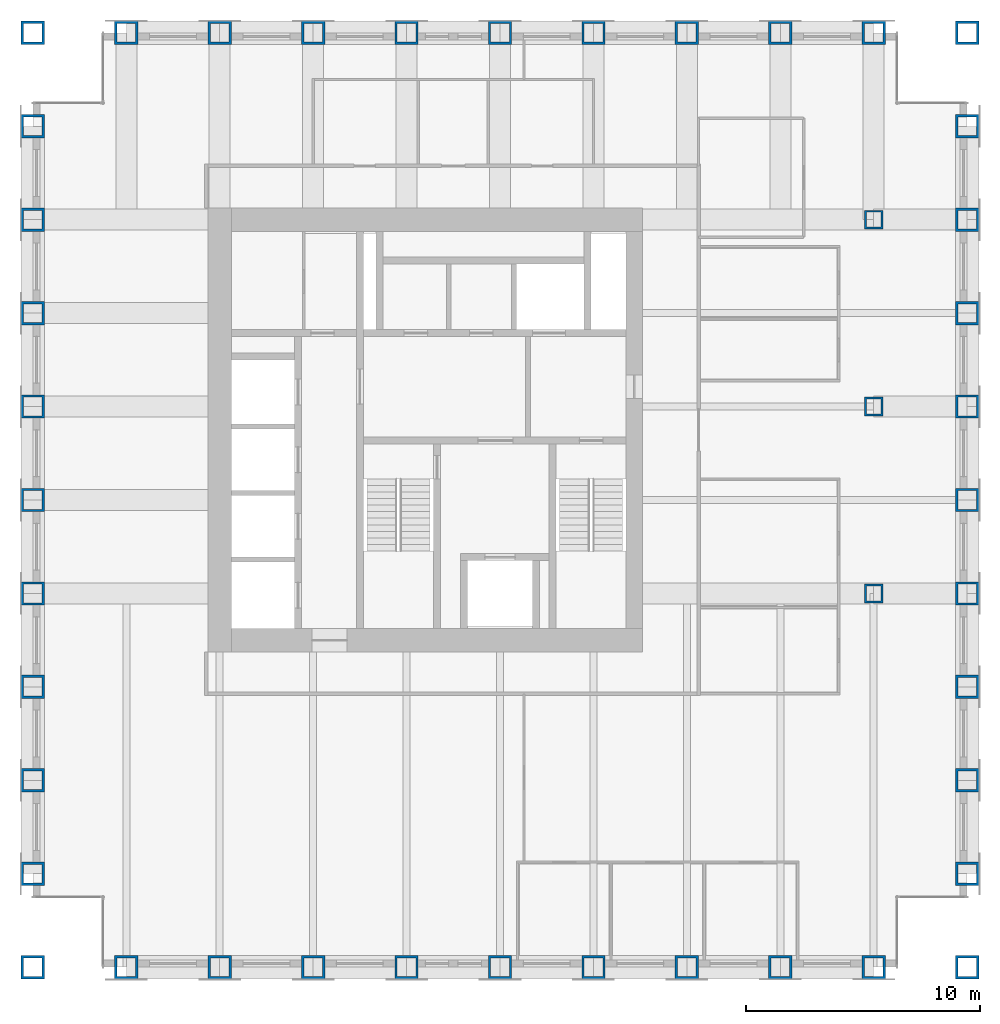
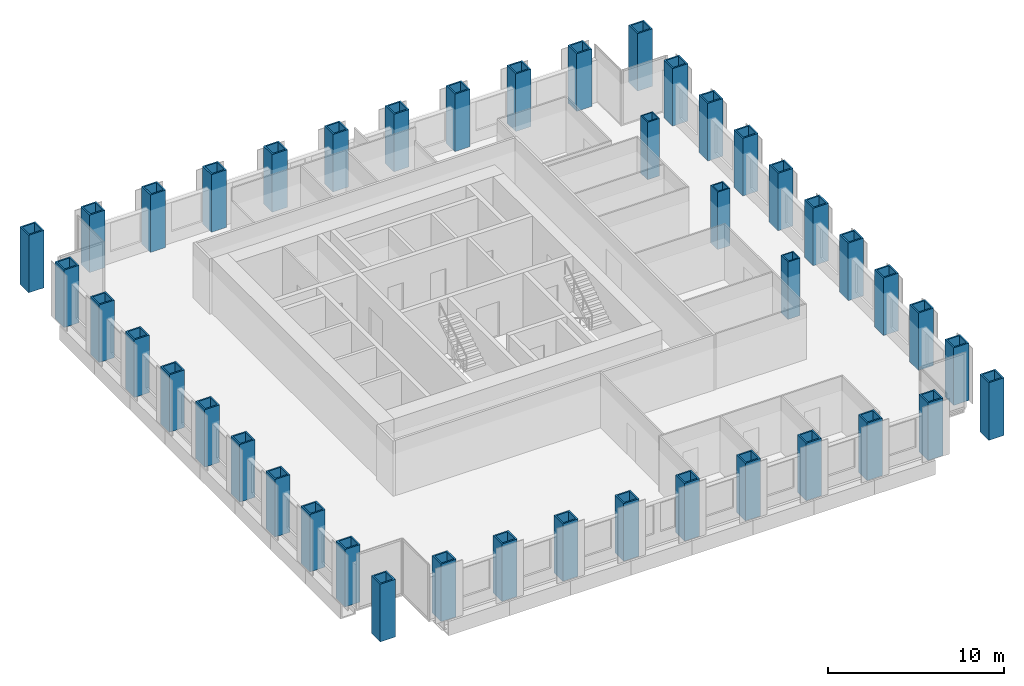
# One storey, part 1 of 11: 43 columns.
"""IFC4 building model written with IfcOpenShell, lengths in metres."""

from ifc_helpers import new_model, si_unit, direction, frame, origin, origin_2d, place, context, subcontext, project, spatial, hollow_rectangle, extrude, material, material_profile, profile_set, type_object, element, save


model = new_model("IFC4")

# Units and contexts
model_context = context("Model", 3, precision=1e-05, world=origin(), true_north=direction((0.0, 1.0)))
body_context = subcontext(model_context, "Body", "Model", "MODEL_VIEW")
ifc_project = project(units=[si_unit("LENGTHUNIT", "METRE"), si_unit("AREAUNIT", "SQUARE_METRE"), si_unit("VOLUMEUNIT", "CUBIC_METRE"), si_unit("PLANEANGLEUNIT", "RADIAN"), si_unit("MASSUNIT", "GRAM", prefix="KILO")], contexts=[model_context])

# Site, building, storey
site_placement = place(None, origin())
site = spatial("IfcSite", under=ifc_project, at=site_placement, CompositionType="ELEMENT")
building_placement = place(site_placement, origin())
building = spatial("IfcBuilding", under=site, at=building_placement, Name="Rimbunsela Tower", CompositionType="ELEMENT")
storey_placement = place(building_placement, frame((0.0, 0.0, 250.199951171875)))
storey = spatial("IfcBuildingStorey", under=building, at=storey_placement, Name="L60", CompositionType="ELEMENT", Elevation=250.199951171875)

# Columns
ifc_material_1 = material(Name="Steel BJ 55 (fy 410 MPa)", Category="steel")
ifc_material_profile_1 = material_profile(ifc_material_1, hollow_rectangle(XDim=1.0, YDim=1.0, WallThickness=0.10009765625, at=origin_2d()), Name="BOX 1000x1000x100")
ifc_profile_set_1 = profile_set([ifc_material_profile_1], Name="Steel BJ 55 (fy 410 MPa)")
column_type_1 = type_object("IfcColumnType", Name="Column BOX 1000x1000x100", PredefinedType="COLUMN", material=ifc_profile_set_1)
for number, where, z_axis, x_axis, name in (
    (1, (10.0, 4.0, 0.0), (0.0, 0.0, 1.0), (1.0, 0.0, 0.0), "Column C1 5/C L60"),
    (2, (10.0, 8.0, 0.0), (0.0, 0.0, 1.0), (1.0, 0.0, 0.0), "Column C1 5/D L60"),
    (3, (10.0, 12.0, 0.0), (0.0, 0.0, 1.0), (1.0, 0.0, 0.0), "Column C1 5/E L60"),
    (4, (10.0, 16.0, 0.0), (0.0, 0.0, 1.0), (1.0, 0.0, 0.0), "Column C1 5/F L60"),
    (5, (10.0, 20.0, 0.0), (0.0, 0.0, 1.0), (1.0, 0.0, 0.0), "Column C1 5/G L60"),
    (6, (10.0, 24.0, 0.0), (0.0, 0.0, 1.0), (1.0, 0.0, 0.0), "Column C1 5/H L60"),
    (7, (10.0, 28.0, 0.0), (0.0, 0.0, 1.0), (1.0, 0.0, 0.0), "Column C1 5/J L60"),
    (8, (10.0, 32.0, 0.0), (0.0, 0.0, 1.0), (1.0, 0.0, 0.0), "Column C1 5/K L60"),
    (9, (10.0, 36.0, 0.0), (0.0, 0.0, 1.0), (1.0, 0.0, 0.0), "Column C1 5/L L60"),
    (10, (10.0, 40.0, 0.0), (0.0, 0.0, 1.0), (1.0, 0.0, 0.0), "Column C1 5/M L60"),
    (11, (10.0, 44.0, 0.0), (0.0, 0.0, 1.0), (1.0, 0.0, 0.0), "Column C1 5/N L60"),
    (12, (14.0, 4.0, 0.0), (0.0, 0.0, 1.0), (1.0, 0.0, 0.0), "Column C1 6/C L60"),
    (13, (14.0, 44.0, 0.0), (0.0, 0.0, 1.0), (1.0, 0.0, 0.0), "Column C1 6/N L60"),
    (14, (18.0, 4.0, 0.0), (0.0, 0.0, 1.0), (1.0, 0.0, 0.0), "Column C1 7/C L60"),
    (15, (18.0, 44.0, 0.0), (0.0, 0.0, 1.0), (1.0, 0.0, 0.0), "Column C1 7/N L60"),
    (16, (22.0, 4.0, 0.0), (0.0, 0.0, 1.0), (1.0, 0.0, 0.0), "Column C1 8/C L60"),
    (17, (22.0, 44.0, 0.0), (0.0, 0.0, 1.0), (1.0, 0.0, 0.0), "Column C1 8/N L60"),
    (18, (26.0, 4.0, 0.0), (0.0, 0.0, 1.0), (1.0, 0.0, 0.0), "Column C1 9/C L60"),
    (19, (26.0, 44.0, 0.0), (0.0, 0.0, 1.0), (1.0, 0.0, 0.0), "Column C1 9/N L60"),
    (20, (30.0, 4.0, 0.0), (0.0, 0.0, 1.0), (1.0, 0.0, 0.0), "Column C1 10/C L60"),
    (21, (30.0, 44.0, 0.0), (0.0, 0.0, 1.0), (1.0, 0.0, 0.0), "Column C1 10/N L60"),
    (22, (34.0, 4.0, 0.0), (0.0, 0.0, 1.0), (1.0, 0.0, 0.0), "Column C1 11/C L60"),
    (23, (34.0, 44.0, 0.0), (0.0, 0.0, 1.0), (1.0, 0.0, 0.0), "Column C1 11/N L60"),
    (24, (38.0, 4.0, 0.0), (0.0, 0.0, 1.0), (1.0, 0.0, 0.0), "Column C1 12/C L60"),
    (25, (38.0, 44.0, 0.0), (0.0, 0.0, 1.0), (1.0, 0.0, 0.0), "Column C1 12/N L60"),
    (26, (42.0, 4.0, 0.0), (0.0, 0.0, 1.0), (1.0, 0.0, 0.0), "Column C1 13/C L60"),
    (27, (42.0, 44.0, 0.0), (0.0, 0.0, 1.0), (1.0, 0.0, 0.0), "Column C1 13/N L60"),
    (28, (46.0, 4.0, 0.0), (0.0, 0.0, 1.0), (1.0, 0.0, 0.0), "Column C1 14/C L60"),
    (29, (46.0, 44.0, 0.0), (0.0, 0.0, 1.0), (1.0, 0.0, 0.0), "Column C1 14/N L60"),
    (30, (50.0, 4.0, 0.0), (0.0, 0.0, 1.0), (1.0, 0.0, 0.0), "Column C1 15/C L60"),
    (31, (50.0, 8.0, 0.0), (0.0, 0.0, 1.0), (1.0, 0.0, 0.0), "Column C1 15/D L60"),
    (32, (50.0, 12.0, 0.0), (0.0, 0.0, 1.0), (1.0, 0.0, 0.0), "Column C1 15/E L60"),
    (33, (50.0, 16.0, 0.0), (0.0, 0.0, 1.0), (1.0, 0.0, 0.0), "Column C1 15/F L60"),
    (34, (50.0, 20.0, 0.0), (0.0, 0.0, 1.0), (1.0, 0.0, 0.0), "Column C1 15/G L60"),
    (35, (50.0, 24.0, 0.0), (0.0, 0.0, 1.0), (1.0, 0.0, 0.0), "Column C1 15/H L60"),
    (36, (50.0, 28.0, 0.0), (0.0, 0.0, 1.0), (1.0, 0.0, 0.0), "Column C1 15/J L60"),
    (37, (50.0, 32.0, 0.0), (0.0, 0.0, 1.0), (1.0, 0.0, 0.0), "Column C1 15/K L60"),
    (38, (50.0, 36.0, 0.0), (0.0, 0.0, 1.0), (1.0, 0.0, 0.0), "Column C1 15/L L60"),
    (39, (50.0, 40.0, 0.0), (0.0, 0.0, 1.0), (1.0, 0.0, 0.0), "Column C1 15/M L60"),
    (40, (50.0, 44.0, 0.0), (0.0, 0.0, 1.0), (1.0, 0.0, 0.0), "Column C1 15/N L60"),
):
    element("IfcColumn", number, at=place(storey_placement, frame(where, z_axis=z_axis, x_axis=x_axis)), inside=storey, type_object=column_type_1, Name=name, PredefinedType="COLUMN", context=body_context, shape_type="SweptSolid", body=[
        extrude(hollow_rectangle(XDim=1.0, YDim=1.0, WallThickness=0.10009765625, at=origin_2d()), origin(), (0.0, 0.0, 1.0), 4.0),
    ])
ifc_material_2 = material(Name="Steel BJ 55 (fy 410 MPa)", Category="steel")
ifc_material_profile_2 = material_profile(ifc_material_2, hollow_rectangle(XDim=0.800048828125, YDim=0.800048828125, WallThickness=0.080078125, at=origin_2d()), Name="BOX 800x800x80")
ifc_profile_set_2 = profile_set([ifc_material_profile_2], Name="Steel BJ 55 (fy 410 MPa)")
column_type_2 = type_object("IfcColumnType", Name="Column BOX 800x800x80", PredefinedType="COLUMN", material=ifc_profile_set_2)
for number, where, z_axis, x_axis, name in (
    (41, (46.0, 20.0, 0.0), (0.0, 0.0, 1.0), (1.0, 0.0, 0.0), "Column C2 14/G L60"),
    (42, (46.0, 28.0, 0.0), (0.0, 0.0, 1.0), (1.0, 0.0, 0.0), "Column C2 14/J L60"),
    (43, (46.0, 36.0, 0.0), (0.0, 0.0, 1.0), (1.0, 0.0, 0.0), "Column C2 14/L L60"),
):
    element("IfcColumn", number, at=place(storey_placement, frame(where, z_axis=z_axis, x_axis=x_axis)), inside=storey, type_object=column_type_2, Name=name, PredefinedType="COLUMN", context=body_context, shape_type="SweptSolid", body=[
        extrude(hollow_rectangle(XDim=0.800048828125, YDim=0.800048828125, WallThickness=0.080078125, at=origin_2d()), origin(), (0.0, 0.0, 1.0), 4.0),
    ])

save(model, "model.ifc")
